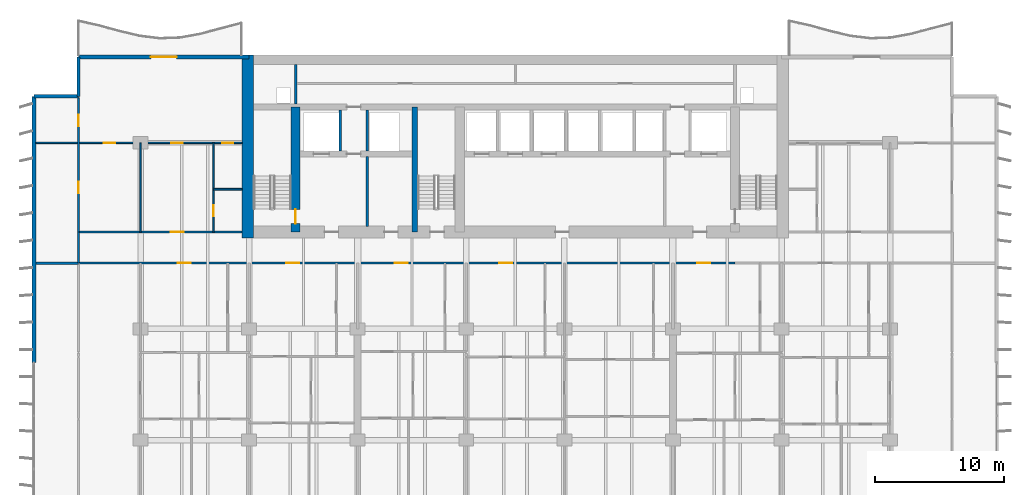
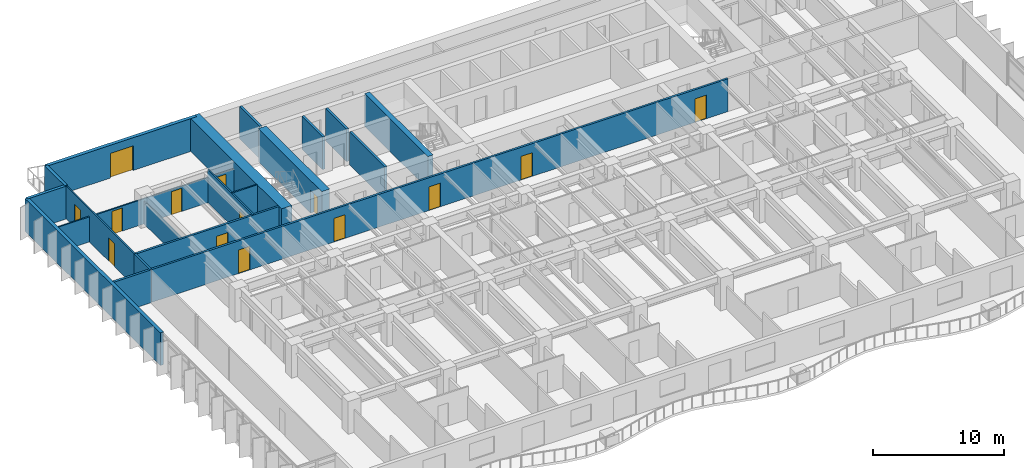
# One storey, part 10 of 17: 20 walls, 14 doors, 14 openings.
"""IFC4 building model written with IfcOpenShell, lengths in metres."""

from ifc_helpers import new_model, si_unit, direction, frame, frame_2d, origin, place, context, subcontext, project, spatial, rectangle, extrude, material, layer, layer_set, type_object, element, fill, save


model = new_model("IFC4")

# Units and contexts
model_context = context("Model", 3, precision=1e-05, world=origin(), true_north=direction((0.0, 1.0)))
body_context = subcontext(model_context, "Body", "Model", "MODEL_VIEW")
ifc_project = project(units=[si_unit("LENGTHUNIT", "METRE"), si_unit("AREAUNIT", "SQUARE_METRE"), si_unit("VOLUMEUNIT", "CUBIC_METRE"), si_unit("PLANEANGLEUNIT", "RADIAN"), si_unit("MASSUNIT", "GRAM", prefix="KILO")], contexts=[model_context])

# Site, building, storey
site_placement = place(None, origin())
site = spatial("IfcSite", under=ifc_project, at=site_placement, CompositionType="ELEMENT")
building_placement = place(site_placement, origin())
building = spatial("IfcBuilding", under=site, at=building_placement, Name="Caelmar Bay Residences", CompositionType="ELEMENT")
storey_placement = place(building_placement, frame((0.0, 0.0, 33.300048828125)))
storey = spatial("IfcBuildingStorey", under=building, at=storey_placement, Name="L07", CompositionType="ELEMENT", Elevation=33.300048828125)

# Wall, opening, door
ifc_material_1 = material(Name="Concrete f'c 55 MPa (8,000 psi)", Category="concrete")
ifc_layer_1 = layer(ifc_material_1, 0.699951171875)
ifc_layer_set_1 = layer_set([ifc_layer_1], Name="Concrete f'c 55 MPa (8,000 psi)")
wall_type_1 = type_object("IfcWallType", Name="SW-COR-700", PredefinedType="SHEAR", material=ifc_layer_set_1)
wall_1_placement = place(storey_placement, frame((21.89990234375, 36.89990234375, 0.0), z_axis=(0.0, 0.0, 1.0), x_axis=(0.0, 1.0, 0.0)))
wall_1 = element("IfcWall", 1, at=wall_1_placement, inside=storey, type_object=wall_type_1, Name="L07 Core Structural Web Wall ST1E", PredefinedType="SHEAR", context=body_context, shape_type="SweptSolid", body=[
    extrude(rectangle(XDim=9.675048828125, YDim=0.699951171875, at=frame_2d((4.83740234375, 0.0))), origin(), (0.0, 0.0, 1.0), 3.050048828125),
])
opening_1_placement = place(wall_1_placement, frame((0.64990234375, 0.0, 0.0)))
opening_1 = element("IfcOpeningElement", 2, at=opening_1_placement, cuts=wall_1, Name="Opening D-L07-108", PredefinedType="OPENING", context=body_context, shape_type="SweptSolid", body=[
    extrude(rectangle(XDim=1.10009765625, YDim=2.14990234375, at=frame_2d((0.550048828125, 1.074951171875))), frame((0.0, 0.35986328125, 0.0), z_axis=(0.0, -1.0, 0.0), x_axis=(1.0, 0.0, 0.0)), (0.0, 0.0, 1.0), 0.719970703125),
])
ifc_material_2 = material(Name="Fire-rated steel and walnut architectural door assembly", Category="steel")
ifc_layer_2 = layer(ifc_material_2, 0.050048828125)
ifc_layer_set_2 = layer_set([ifc_layer_2], Name="Fire-rated steel and walnut architectural door assembly")
door_type_1 = type_object("IfcDoorType", Name="D-STAIR-1100", OperationType="NOTDEFINED", PredefinedType="DOOR", material=ifc_layer_set_2)
door_1_placement = place(opening_1_placement, origin())
door_1 = element("IfcDoor", 3, at=door_1_placement, inside=storey, type_object=door_type_1, Name="L07 Firefighting Lobby West Door", OperationType="SINGLE_SWING_LEFT", OverallHeight=2.14990234375, OverallWidth=1.10009765625, PredefinedType="DOOR", context=body_context, shape_type="SweptSolid", body=[
    extrude(rectangle(XDim=1.10009765625, YDim=2.14990234375, at=frame_2d((0.550048828125, 1.074951171875))), frame((0.0, 0.02490234375, 0.0), z_axis=(0.0, -1.0, 0.0), x_axis=(1.0, 0.0, 0.0)), (0.0, 0.0, 1.0), 0.050048828125),
])
fill(opening_1, door_1)

# Walls
ifc_material_3 = material(Name="Concrete f'c 70 MPa (10,000 psi)", Category="concrete")
ifc_layer_3 = layer(ifc_material_3, 0.89990234375)
ifc_layer_set_3 = layer_set([ifc_layer_3], Name="Concrete f'c 70 MPa (10,000 psi)")
wall_type_2 = type_object("IfcWallType", Name="SW-COR-900", PredefinedType="SHEAR", material=ifc_layer_set_3)
wall_2_placement = place(storey_placement, frame((18.199951171875, 36.449951171875, 0.0), z_axis=(0.0, 0.0, 1.0), x_axis=(0.0, 1.0, 0.0)))
element("IfcWall", 4, at=wall_2_placement, inside=storey, type_object=wall_type_2, Name="L07 Rear Core West Shear Wall", PredefinedType="SHEAR", context=body_context, shape_type="SweptSolid", body=[
    extrude(rectangle(XDim=14.150146484375, YDim=0.89990234375, at=frame_2d((7.0751953125, 0.0))), origin(), (0.0, 0.0, 1.0), 3.050048828125),
])
ifc_layer_4 = layer(ifc_material_3, 0.449951171875)
ifc_layer_set_4 = layer_set([ifc_layer_4], Name="Concrete f'c 70 MPa (10,000 psi)")
wall_type_3 = type_object("IfcWallType", Name="SW-WEB-450", PredefinedType="SHEAR", material=ifc_layer_set_4)
wall_3_placement = place(storey_placement, frame((31.125, 36.89990234375, 0.0), z_axis=(0.0, 0.0, 1.0), x_axis=(0.0, 1.0, 0.0)))
element("IfcWall", 5, at=wall_3_placement, inside=storey, type_object=wall_type_3, Name="L07 Core Structural Web Wall ST3W", PredefinedType="SHEAR", context=body_context, shape_type="SweptSolid", body=[
    extrude(rectangle(XDim=9.675048828125, YDim=0.449951171875, at=frame_2d((4.83740234375, 0.0))), origin(), (0.0, 0.0, 1.0), 3.050048828125),
])
ifc_material_4 = material(Name="Double-stud acoustic fire-rated gypsum partition 180 mm")
ifc_layer_5 = layer(ifc_material_4, 0.179931640625)
ifc_layer_set_5 = layer_set([ifc_layer_5], Name="Double-stud acoustic fire-rated gypsum partition 180 mm")
wall_type_4 = type_object("IfcWallType", Name="W-COR-200", PredefinedType="PARTITIONING", material=ifc_layer_set_5)
wall_4_placement = place(storey_placement, frame((5.10009765625, 34.5048828125, 0.0), z_axis=(0.0, 0.0, 1.0), x_axis=(0.0, 1.0, 0.0)))
element("IfcWall", 6, at=wall_4_placement, inside=storey, type_object=wall_type_4, Name="L07 Partition Wall V005", PredefinedType="PARTITIONING", context=body_context, shape_type="SweptSolid", body=[
    extrude(rectangle(XDim=2.39501953125, YDim=0.179931640625, at=frame_2d((1.197509765625, 0.0))), origin(), (0.0, 0.0, 1.0), 3.050048828125),
])

# Wall, openings, doors
wall_5_placement = place(storey_placement, frame((5.10498046875, 34.5, 0.0), z_axis=(0.0, 0.0, 1.0), x_axis=(1.0, 0.0, 0.0)))
wall_5 = element("IfcWall", 7, at=wall_5_placement, inside=storey, type_object=wall_type_4, Name="L07 Partition Wall H124", PredefinedType="PARTITIONING", context=body_context, shape_type="SweptSolid", body=[
    extrude(rectangle(XDim=50.781005859375, YDim=0.179931640625, at=frame_2d((25.390625, 0.0))), origin(), (0.0, 0.0, 1.0), 3.050048828125),
])
opening_2_placement = place(wall_5_placement, frame((7.669921875, 0.0, 0.0)))
opening_2 = element("IfcOpeningElement", 8, at=opening_2_placement, cuts=wall_5, Name="Opening D-L07-119", PredefinedType="OPENING", context=body_context, shape_type="SweptSolid", body=[
    extrude(rectangle(XDim=1.0, YDim=2.199951171875, at=frame_2d((0.5, 1.10009765625))), frame((0.0, 0.099853515625, 0.0), z_axis=(0.0, -1.0, 0.0), x_axis=(1.0, 0.0, 0.0)), (0.0, 0.0, 1.0), 0.199951171875),
])
opening_3_placement = place(wall_5_placement, frame((16.070068359375, 0.0, 0.0)))
opening_3 = element("IfcOpeningElement", 9, at=opening_3_placement, cuts=wall_5, Name="Opening D-L07-127", PredefinedType="OPENING", context=body_context, shape_type="SweptSolid", body=[
    extrude(rectangle(XDim=1.0, YDim=2.199951171875, at=frame_2d((0.5, 1.10009765625))), frame((0.0, 0.099853515625, 0.0), z_axis=(0.0, -1.0, 0.0), x_axis=(1.0, 0.0, 0.0)), (0.0, 0.0, 1.0), 0.199951171875),
])
opening_4_placement = place(wall_5_placement, frame((24.469970703125, 0.0, 0.0)))
opening_4 = element("IfcOpeningElement", 10, at=opening_4_placement, cuts=wall_5, Name="Opening D-L07-134", PredefinedType="OPENING", context=body_context, shape_type="SweptSolid", body=[
    extrude(rectangle(XDim=1.0, YDim=2.199951171875, at=frame_2d((0.5, 1.10009765625))), frame((0.0, 0.099853515625, 0.0), z_axis=(0.0, -1.0, 0.0), x_axis=(1.0, 0.0, 0.0)), (0.0, 0.0, 1.0), 0.199951171875),
])
opening_5_placement = place(wall_5_placement, frame((32.544921875, 0.0, 0.0)))
opening_5 = element("IfcOpeningElement", 11, at=opening_5_placement, cuts=wall_5, Name="Opening D-L07-141", PredefinedType="OPENING", context=body_context, shape_type="SweptSolid", body=[
    extrude(rectangle(XDim=1.0, YDim=2.199951171875, at=frame_2d((0.5, 1.10009765625))), frame((0.0, 0.099853515625, 0.0), z_axis=(0.0, -1.0, 0.0), x_axis=(1.0, 0.0, 0.0)), (0.0, 0.0, 1.0), 0.199951171875),
])
opening_6_placement = place(wall_5_placement, frame((47.887939453125, 0.0, 0.0)))
opening_6 = element("IfcOpeningElement", 12, at=opening_6_placement, cuts=wall_5, Name="Opening D-L07-150", PredefinedType="OPENING", context=body_context, shape_type="SweptSolid", body=[
    extrude(rectangle(XDim=1.0, YDim=2.199951171875, at=frame_2d((0.5, 1.10009765625))), frame((0.0, 0.099853515625, 0.0), z_axis=(0.0, -1.0, 0.0), x_axis=(1.0, 0.0, 0.0)), (0.0, 0.0, 1.0), 0.199951171875),
])
ifc_layer_6 = layer(ifc_material_2, 0.050048828125)
ifc_layer_set_6 = layer_set([ifc_layer_6], Name="Fire-rated steel and walnut architectural door assembly")
door_type_2 = type_object("IfcDoorType", Name="D-UNIT-1000", OperationType="NOTDEFINED", PredefinedType="DOOR", material=ifc_layer_set_6)
door_2_placement = place(opening_2_placement, origin())
door_2 = element("IfcDoor", 13, at=door_2_placement, inside=storey, type_object=door_type_2, Name="L07 Residence 01 Apartment Hall Door", OperationType="SINGLE_SWING_RIGHT", OverallHeight=2.199951171875, OverallWidth=1.0, PredefinedType="DOOR", context=body_context, shape_type="SweptSolid", body=[
    extrude(rectangle(XDim=1.0, YDim=2.199951171875, at=frame_2d((0.5, 1.10009765625))), frame((0.0, 0.02490234375, 0.0), z_axis=(0.0, -1.0, 0.0), x_axis=(1.0, 0.0, 0.0)), (0.0, 0.0, 1.0), 0.050048828125),
])
fill(opening_2, door_2)
door_3_placement = place(opening_3_placement, origin())
door_3 = element("IfcDoor", 14, at=door_3_placement, inside=storey, type_object=door_type_2, Name="L07 Residence 02 Apartment Hall Door", OperationType="SINGLE_SWING_RIGHT", OverallHeight=2.199951171875, OverallWidth=1.0, PredefinedType="DOOR", context=body_context, shape_type="SweptSolid", body=[
    extrude(rectangle(XDim=1.0, YDim=2.199951171875, at=frame_2d((0.5, 1.10009765625))), frame((0.0, 0.02490234375, 0.0), z_axis=(0.0, -1.0, 0.0), x_axis=(1.0, 0.0, 0.0)), (0.0, 0.0, 1.0), 0.050048828125),
])
fill(opening_3, door_3)
door_4_placement = place(opening_4_placement, origin())
door_4 = element("IfcDoor", 15, at=door_4_placement, inside=storey, type_object=door_type_2, Name="L07 Residence 03 Apartment Hall Door", OperationType="SINGLE_SWING_LEFT", OverallHeight=2.199951171875, OverallWidth=1.0, PredefinedType="DOOR", context=body_context, shape_type="SweptSolid", body=[
    extrude(rectangle(XDim=1.0, YDim=2.199951171875, at=frame_2d((0.5, 1.10009765625))), frame((0.0, 0.02490234375, 0.0), z_axis=(0.0, -1.0, 0.0), x_axis=(1.0, 0.0, 0.0)), (0.0, 0.0, 1.0), 0.050048828125),
])
fill(opening_4, door_4)
door_5_placement = place(opening_5_placement, origin())
door_5 = element("IfcDoor", 16, at=door_5_placement, inside=storey, type_object=door_type_2, Name="L07 Residence 04 Apartment Hall Door", OperationType="SINGLE_SWING_RIGHT", OverallHeight=2.199951171875, OverallWidth=1.0, PredefinedType="DOOR", context=body_context, shape_type="SweptSolid", body=[
    extrude(rectangle(XDim=1.0, YDim=2.199951171875, at=frame_2d((0.5, 1.10009765625))), frame((0.0, 0.02490234375, 0.0), z_axis=(0.0, -1.0, 0.0), x_axis=(1.0, 0.0, 0.0)), (0.0, 0.0, 1.0), 0.050048828125),
])
fill(opening_5, door_5)
door_6_placement = place(opening_6_placement, origin())
door_6 = element("IfcDoor", 17, at=door_6_placement, inside=storey, type_object=door_type_2, Name="L07 Residence 05 Apartment Hall Door", OperationType="SINGLE_SWING_LEFT", OverallHeight=2.199951171875, OverallWidth=1.0, PredefinedType="DOOR", context=body_context, shape_type="SweptSolid", body=[
    extrude(rectangle(XDim=1.0, YDim=2.199951171875, at=frame_2d((0.5, 1.10009765625))), frame((0.0, 0.02490234375, 0.0), z_axis=(0.0, -1.0, 0.0), x_axis=(1.0, 0.0, 0.0)), (0.0, 0.0, 1.0), 0.050048828125),
])
fill(opening_6, door_6)

# Wall, opening, door
wall_6_placement = place(storey_placement, frame((5.10009765625, 36.89990234375, 0.0), z_axis=(0.0, 0.0, 1.0), x_axis=(1.0, 0.0, 0.0)))
wall_6 = element("IfcWall", 18, at=wall_6_placement, inside=storey, type_object=wall_type_4, Name="L07 Partition Wall H127", PredefinedType="PARTITIONING", context=body_context, shape_type="SweptSolid", body=[
    extrude(rectangle(XDim=12.64501953125, YDim=0.179931640625, at=frame_2d((6.322509765625, 0.0))), origin(), (0.0, 0.0, 1.0), 3.050048828125),
])
opening_7_placement = place(wall_6_placement, frame((7.125, 0.0, 0.0)))
opening_7 = element("IfcOpeningElement", 19, at=opening_7_placement, cuts=wall_6, Name="Opening D-L07-168", PredefinedType="OPENING", context=body_context, shape_type="SweptSolid", body=[
    extrude(rectangle(XDim=1.0, YDim=2.199951171875, at=frame_2d((0.5, 1.10009765625))), frame((0.0, 0.099853515625, 0.0), z_axis=(0.0, -1.0, 0.0), x_axis=(1.0, 0.0, 0.0)), (0.0, 0.0, 1.0), 0.199951171875),
])
door_7_placement = place(opening_7_placement, origin())
door_7 = element("IfcDoor", 20, at=door_7_placement, inside=storey, type_object=door_type_2, Name="L07 Residence WA Kitchen Door", OperationType="SINGLE_SWING_LEFT", OverallHeight=2.199951171875, OverallWidth=1.0, PredefinedType="DOOR", context=body_context, shape_type="SweptSolid", body=[
    extrude(rectangle(XDim=1.0, YDim=2.199951171875, at=frame_2d((0.5, 1.10009765625))), frame((0.0, 0.02490234375, 0.0), z_axis=(0.0, -1.0, 0.0), x_axis=(1.0, 0.0, 0.0)), (0.0, 0.0, 1.0), 0.050048828125),
])
fill(opening_7, door_7)

# Walls
ifc_material_5 = material(Name="Precast concrete f'c 40 MPa (6,000 psi)", Category="concrete")
ifc_layer_7 = layer(ifc_material_5, 0.25)
ifc_layer_set_7 = layer_set([ifc_layer_7], Name="Precast concrete f'c 40 MPa (6,000 psi)")
wall_type_5 = type_object("IfcWallType", Name="W-EXT-250", PredefinedType="ELEMENTEDWALL", material=ifc_layer_set_7)
wall_7_placement = place(storey_placement, frame((1.64990234375, 47.39990234375, 0.0), z_axis=(0.0, 0.0, 1.0), x_axis=(1.0, 0.0, 0.0)))
element("IfcWall", 21, at=wall_7_placement, inside=storey, type_object=wall_type_5, Name="L07 NNW-H Notch Wall", PredefinedType="ELEMENTEDWALL", context=body_context, shape_type="SweptSolid", body=[
    extrude(rectangle(XDim=3.4501953125, YDim=0.25, at=frame_2d((1.72509765625, 0.0))), origin(), (0.0, 0.0, 1.0), 3.050048828125),
])
wall_8_placement = place(storey_placement, frame((5.10009765625, 47.39990234375, 0.0), z_axis=(0.0, 0.0, 1.0), x_axis=(0.0, 1.0, 0.0)))
element("IfcWall", 22, at=wall_8_placement, inside=storey, type_object=wall_type_5, Name="L07 NNW-V Notch Wall", PredefinedType="ELEMENTEDWALL", context=body_context, shape_type="SweptSolid", body=[
    extrude(rectangle(XDim=3.050048828125, YDim=0.25, at=frame_2d((1.52490234375, 0.0))), origin(), (0.0, 0.0, 1.0), 3.050048828125),
])
ifc_layer_8 = layer(ifc_material_5, 0.300048828125)
ifc_layer_set_8 = layer_set([ifc_layer_8], Name="Precast concrete f'c 40 MPa (6,000 psi)")
wall_type_6 = type_object("IfcWallType", Name="W-EXT-300", PredefinedType="STANDARD", material=ifc_layer_set_8)
wall_9_placement = place(storey_placement, frame((1.64990234375, 26.800048828125, 0.0), z_axis=(0.0, 0.0, 1.0), x_axis=(0.0, 1.0, 0.0)))
element("IfcWall", 23, at=wall_9_placement, inside=storey, type_object=wall_type_6, Name="L07 West Rear Exterior Wall", PredefinedType="STANDARD", context=body_context, shape_type="SweptSolid", body=[
    extrude(rectangle(XDim=20.599853515625, YDim=0.300048828125, at=frame_2d((10.2998046875, 0.0))), origin(), (0.0, 0.0, 1.0), 3.050048828125),
])

# Wall, opening, door
wall_10_placement = place(storey_placement, frame((5.10009765625, 50.449951171875, 0.0), z_axis=(0.0, 0.0, 1.0), x_axis=(1.0, 0.0, 0.0)))
wall_10 = element("IfcWall", 24, at=wall_10_placement, inside=storey, type_object=wall_type_6, Name="L07 North-West Wing Exterior Wall", PredefinedType="STANDARD", context=body_context, shape_type="SweptSolid", body=[
    extrude(rectangle(XDim=13.199951171875, YDim=0.300048828125, at=frame_2d((6.60009765625, 0.0))), origin(), (0.0, 0.0, 1.0), 3.050048828125),
])
opening_8_placement = place(wall_10_placement, frame((5.60009765625, 0.0, 0.0)))
opening_8 = element("IfcOpeningElement", 25, at=opening_8_placement, cuts=wall_10, Name="Opening L07-BDNW", PredefinedType="OPENING", context=body_context, shape_type="SweptSolid", body=[
    extrude(rectangle(XDim=2.0, YDim=2.300048828125, at=frame_2d((1.0, 1.14990234375))), frame((0.0, 0.159912109375, 0.0), z_axis=(0.0, -1.0, 0.0), x_axis=(1.0, 0.0, 0.0)), (0.0, 0.0, 1.0), 0.320068359375),
])
ifc_material_6 = material(Name="Anodised bronze thermally broken sliding glass door", Category="glass")
ifc_layer_9 = layer(ifc_material_6, 0.050048828125)
ifc_layer_set_9 = layer_set([ifc_layer_9], Name="Anodised bronze thermally broken sliding glass door")
door_type_3 = type_object("IfcDoorType", Name="D-BAL-2000", OperationType="DOUBLE_DOOR_SLIDING", PredefinedType="DOOR", material=ifc_layer_set_9)
door_8_placement = place(opening_8_placement, origin())
door_8 = element("IfcDoor", 26, at=door_8_placement, inside=storey, type_object=door_type_3, Name="L07 North-West Balcony Door", OperationType="DOUBLE_DOOR_SLIDING", OverallHeight=2.300048828125, OverallWidth=2.0, PredefinedType="DOOR", context=body_context, shape_type="SweptSolid", body=[
    extrude(rectangle(XDim=2.0, YDim=2.300048828125, at=frame_2d((1.0, 1.14990234375))), frame((0.0, 0.02490234375, 0.0), z_axis=(0.0, -1.0, 0.0), x_axis=(1.0, 0.0, 0.0)), (0.0, 0.0, 1.0), 0.050048828125),
])
fill(opening_8, door_8)

# Walls
ifc_material_7 = material(Name="Fire-rated masonry and gypsum shaftliner assembly 200 mm", Category="masonry")
ifc_layer_10 = layer(ifc_material_7, 0.199951171875)
ifc_layer_set_10 = layer_set([ifc_layer_10], Name="Fire-rated masonry and gypsum shaftliner assembly 200 mm")
wall_type_7 = type_object("IfcWallType", Name="W-FSAE-200", PredefinedType="PARTITIONING", material=ifc_layer_set_10)
wall_11_placement = place(storey_placement, frame((21.89990234375, 46.794921875, 0.0), z_axis=(0.0, 0.0, 1.0), x_axis=(0.0, 1.0, 0.0)))
element("IfcWall", 27, at=wall_11_placement, inside=storey, type_object=wall_type_7, Name="L07 Partition Wall V024", PredefinedType="PARTITIONING", context=body_context, shape_type="SweptSolid", body=[
    extrude(rectangle(XDim=3.06005859375, YDim=0.199951171875, at=frame_2d((1.530029296875, 0.0))), origin(), (0.0, 0.0, 1.0), 3.050048828125),
])
wall_12_placement = place(storey_placement, frame((25.35009765625, 43.169921875, 0.0), z_axis=(0.0, 0.0, 1.0), x_axis=(0.0, 1.0, 0.0)))
element("IfcWall", 28, at=wall_12_placement, inside=storey, type_object=wall_type_7, Name="L07 Partition Wall V031", PredefinedType="PARTITIONING", context=body_context, shape_type="SweptSolid", body=[
    extrude(rectangle(XDim=3.18505859375, YDim=0.199951171875, at=frame_2d((1.592529296875, 0.0))), origin(), (0.0, 0.0, 1.0), 3.050048828125),
])
wall_13_placement = place(storey_placement, frame((27.449951171875, 37.344970703125, 0.0), z_axis=(0.0, 0.0, 1.0), x_axis=(0.0, 1.0, 0.0)))
element("IfcWall", 29, at=wall_13_placement, inside=storey, type_object=wall_type_7, Name="L07 Partition Wall V035", PredefinedType="PARTITIONING", context=body_context, shape_type="SweptSolid", body=[
    extrude(rectangle(XDim=5.385009765625, YDim=0.199951171875, at=frame_2d((2.6923828125, 0.0))), origin(), (0.0, 0.0, 1.0), 3.050048828125),
])
wall_14_placement = place(storey_placement, frame((27.449951171875, 43.169921875, 0.0), z_axis=(0.0, 0.0, 1.0), x_axis=(0.0, 1.0, 0.0)))
element("IfcWall", 30, at=wall_14_placement, inside=storey, type_object=wall_type_7, Name="L07 Partition Wall V036", PredefinedType="PARTITIONING", context=body_context, shape_type="SweptSolid", body=[
    extrude(rectangle(XDim=3.18505859375, YDim=0.199951171875, at=frame_2d((1.592529296875, 0.0))), origin(), (0.0, 0.0, 1.0), 3.050048828125),
])

# Wall, openings, doors
ifc_material_8 = material(Name="Acoustic metal-stud gypsum partition 120 mm")
ifc_layer_11 = layer(ifc_material_8, 0.1201171875)
ifc_layer_set_11 = layer_set([ifc_layer_11], Name="Acoustic metal-stud gypsum partition 120 mm")
wall_type_8 = type_object("IfcWallType", Name="W-PRT-120", PredefinedType="PARTITIONING", material=ifc_layer_set_11)
wall_15_placement = place(storey_placement, frame((5.10009765625, 36.905029296875, 0.0), z_axis=(0.0, 0.0, 1.0), x_axis=(0.0, 1.0, 0.0)))
wall_15 = element("IfcWall", 31, at=wall_15_placement, inside=storey, type_object=wall_type_8, Name="L07 Partition Wall V006", PredefinedType="PARTITIONING", context=body_context, shape_type="SweptSolid", body=[
    extrude(rectangle(XDim=10.375, YDim=0.1201171875, at=frame_2d((5.1875, 0.0))), origin(), (0.0, 0.0, 1.0), 3.050048828125),
])
opening_9_placement = place(wall_15_placement, frame((2.99755859375, 0.0, 0.0)))
opening_9 = element("IfcOpeningElement", 32, at=opening_9_placement, cuts=wall_15, Name="Opening D-L07-172", PredefinedType="OPENING", context=body_context, shape_type="SweptSolid", body=[
    extrude(rectangle(XDim=0.89990234375, YDim=2.14990234375, at=frame_2d((0.449951171875, 1.074951171875))), frame((0.0, 0.070068359375, 0.0), z_axis=(0.0, -1.0, 0.0), x_axis=(1.0, 0.0, 0.0)), (0.0, 0.0, 1.0), 0.14013671875),
])
opening_10_placement = place(wall_15_placement, frame((8.18505859375, 0.0, 0.0)))
opening_10 = element("IfcOpeningElement", 33, at=opening_10_placement, cuts=wall_15, Name="Opening D-L07-173", PredefinedType="OPENING", context=body_context, shape_type="SweptSolid", body=[
    extrude(rectangle(XDim=0.89990234375, YDim=2.14990234375, at=frame_2d((0.449951171875, 1.074951171875))), frame((0.0, 0.070068359375, 0.0), z_axis=(0.0, -1.0, 0.0), x_axis=(1.0, 0.0, 0.0)), (0.0, 0.0, 1.0), 0.14013671875),
])
ifc_material_9 = material(Name="Solid walnut timber interior door leaf and frame", Category="wood")
ifc_layer_12 = layer(ifc_material_9, 0.050048828125)
ifc_layer_set_12 = layer_set([ifc_layer_12], Name="Solid walnut timber interior door leaf and frame")
door_type_4 = type_object("IfcDoorType", Name="D-ROOM-900", OperationType="NOTDEFINED", PredefinedType="DOOR", material=ifc_layer_set_12)
door_9_placement = place(opening_9_placement, origin())
door_9 = element("IfcDoor", 34, at=door_9_placement, inside=storey, type_object=door_type_4, Name="L07 Residence WA Sun Study Door", OperationType="SINGLE_SWING_LEFT", OverallHeight=2.14990234375, OverallWidth=0.89990234375, PredefinedType="DOOR", context=body_context, shape_type="SweptSolid", body=[
    extrude(rectangle(XDim=0.89990234375, YDim=2.14990234375, at=frame_2d((0.449951171875, 1.074951171875))), frame((0.0, 0.02490234375, 0.0), z_axis=(0.0, -1.0, 0.0), x_axis=(1.0, 0.0, 0.0)), (0.0, 0.0, 1.0), 0.050048828125),
])
fill(opening_9, door_9)
door_10_placement = place(opening_10_placement, origin())
door_10 = element("IfcDoor", 35, at=door_10_placement, inside=storey, type_object=door_type_4, Name="L07 Residence WA North Sitting Alcove Door", OperationType="SINGLE_SWING_RIGHT", OverallHeight=2.14990234375, OverallWidth=0.89990234375, PredefinedType="DOOR", context=body_context, shape_type="SweptSolid", body=[
    extrude(rectangle(XDim=0.89990234375, YDim=2.14990234375, at=frame_2d((0.449951171875, 1.074951171875))), frame((0.0, 0.02490234375, 0.0), z_axis=(0.0, -1.0, 0.0), x_axis=(1.0, 0.0, 0.0)), (0.0, 0.0, 1.0), 0.050048828125),
])
fill(opening_10, door_10)

# Wall
wall_16_placement = place(storey_placement, frame((9.89990234375, 36.89990234375, 0.0), z_axis=(0.0, 0.0, 1.0), x_axis=(0.0, 1.0, 0.0)))
element("IfcWall", 36, at=wall_16_placement, inside=storey, type_object=wall_type_8, Name="L07 Partition Wall V012", PredefinedType="PARTITIONING", context=body_context, shape_type="SweptSolid", body=[
    extrude(rectangle(XDim=6.900146484375, YDim=0.1201171875, at=frame_2d((3.4501953125, 0.0))), origin(), (0.0, 0.0, 1.0), 2.10986328125),
])

# Wall, opening, door
wall_17_placement = place(storey_placement, frame((15.550048828125, 36.89990234375, 0.0), z_axis=(0.0, 0.0, 1.0), x_axis=(0.0, 1.0, 0.0)))
wall_17 = element("IfcWall", 37, at=wall_17_placement, inside=storey, type_object=wall_type_8, Name="L07 Partition Wall V017", PredefinedType="PARTITIONING", context=body_context, shape_type="SweptSolid", body=[
    extrude(rectangle(XDim=6.900146484375, YDim=0.1201171875, at=frame_2d((3.4501953125, 0.0))), origin(), (0.0, 0.0, 1.0), 3.050048828125),
])
opening_11_placement = place(wall_17_placement, frame((1.23095703125, 0.0, 0.0)))
opening_11 = element("IfcOpeningElement", 38, at=opening_11_placement, cuts=wall_17, Name="Opening D-L07-170", PredefinedType="OPENING", context=body_context, shape_type="SweptSolid", body=[
    extrude(rectangle(XDim=0.85009765625, YDim=2.10009765625, at=frame_2d((0.425048828125, 1.050048828125))), frame((0.0, 0.070068359375, 0.0), z_axis=(0.0, -1.0, 0.0), x_axis=(1.0, 0.0, 0.0)), (0.0, 0.0, 1.0), 0.14013671875),
])
ifc_layer_13 = layer(ifc_material_9, 0.050048828125)
ifc_layer_set_13 = layer_set([ifc_layer_13], Name="Solid walnut timber interior door leaf and frame")
door_type_5 = type_object("IfcDoorType", Name="D-BATH-850", OperationType="NOTDEFINED", PredefinedType="DOOR", material=ifc_layer_set_13)
door_11_placement = place(opening_11_placement, origin())
door_11 = element("IfcDoor", 39, at=door_11_placement, inside=storey, type_object=door_type_5, Name="L07 Residence WA Walk-In Closet Door", OperationType="SINGLE_SWING_LEFT", OverallHeight=2.10009765625, OverallWidth=0.85009765625, PredefinedType="DOOR", context=body_context, shape_type="SweptSolid", body=[
    extrude(rectangle(XDim=0.85009765625, YDim=2.10009765625, at=frame_2d((0.425048828125, 1.050048828125))), frame((0.0, 0.02490234375, 0.0), z_axis=(0.0, -1.0, 0.0), x_axis=(1.0, 0.0, 0.0)), (0.0, 0.0, 1.0), 0.050048828125),
])
fill(opening_11, door_11)

# Wall
wall_18_placement = place(storey_placement, frame((15.550048828125, 40.2119140625, 0.0), z_axis=(0.0, 0.0, 1.0), x_axis=(1.0, 0.0, 0.0)))
element("IfcWall", 40, at=wall_18_placement, inside=storey, type_object=wall_type_8, Name="L07 Partition Wall H129", PredefinedType="PARTITIONING", context=body_context, shape_type="SweptSolid", body=[
    extrude(rectangle(XDim=2.204833984375, YDim=0.1201171875, at=frame_2d((1.1025390625, 0.0))), origin(), (0.0, 0.0, 1.0), 3.050048828125),
])

# Wall, openings, doors
wall_19_placement = place(storey_placement, frame((1.794921875, 43.800048828125, 0.0), z_axis=(0.0, 0.0, 1.0), x_axis=(1.0, 0.0, 0.0)))
wall_19 = element("IfcWall", 41, at=wall_19_placement, inside=storey, type_object=wall_type_8, Name="L07 Partition Wall H131", PredefinedType="PARTITIONING", context=body_context, shape_type="SweptSolid", body=[
    extrude(rectangle(XDim=15.9599609375, YDim=0.1201171875, at=frame_2d((7.97998046875, 0.0))), origin(), (0.0, 0.0, 1.0), 2.3388671875),
])
opening_12_placement = place(wall_19_placement, frame((5.2548828125, 0.0, 0.0)))
opening_12 = element("IfcOpeningElement", 42, at=opening_12_placement, cuts=wall_19, Name="Opening D-L07-167", PredefinedType="OPENING", context=body_context, shape_type="SweptSolid", body=[
    extrude(rectangle(XDim=0.89990234375, YDim=2.14990234375, at=frame_2d((0.449951171875, 1.074951171875))), frame((0.0, 0.070068359375, 0.0), z_axis=(0.0, -1.0, 0.0), x_axis=(1.0, 0.0, 0.0)), (0.0, 0.0, 1.0), 0.14013671875),
])
opening_13_placement = place(wall_19_placement, frame((10.47998046875, 0.0, 0.0)))
opening_13 = element("IfcOpeningElement", 43, at=opening_13_placement, cuts=wall_19, Name="Opening D-L07-169", PredefinedType="OPENING", context=body_context, shape_type="SweptSolid", body=[
    extrude(rectangle(XDim=0.89990234375, YDim=2.14990234375, at=frame_2d((0.449951171875, 1.074951171875))), frame((0.0, 0.070068359375, 0.0), z_axis=(0.0, -1.0, 0.0), x_axis=(1.0, 0.0, 0.0)), (0.0, 0.0, 1.0), 0.14013671875),
])
opening_14_placement = place(wall_19_placement, frame((14.4326171875, 0.0, 0.0)))
opening_14 = element("IfcOpeningElement", 44, at=opening_14_placement, cuts=wall_19, Name="Opening D-L07-171", PredefinedType="OPENING", context=body_context, shape_type="SweptSolid", body=[
    extrude(rectangle(XDim=0.85009765625, YDim=2.10009765625, at=frame_2d((0.425048828125, 1.050048828125))), frame((0.0, 0.070068359375, 0.0), z_axis=(0.0, -1.0, 0.0), x_axis=(1.0, 0.0, 0.0)), (0.0, 0.0, 1.0), 0.14013671875),
])
door_12_placement = place(opening_14_placement, origin())
door_12 = element("IfcDoor", 45, at=door_12_placement, inside=storey, type_object=door_type_5, Name="L07 Residence WA Bathroom Door", OperationType="SINGLE_SWING_RIGHT", OverallHeight=2.10009765625, OverallWidth=0.85009765625, PredefinedType="DOOR", context=body_context, shape_type="SweptSolid", body=[
    extrude(rectangle(XDim=0.85009765625, YDim=2.10009765625, at=frame_2d((0.425048828125, 1.050048828125))), frame((0.0, 0.02490234375, 0.0), z_axis=(0.0, -1.0, 0.0), x_axis=(1.0, 0.0, 0.0)), (0.0, 0.0, 1.0), 0.050048828125),
])
fill(opening_14, door_12)
door_13_placement = place(opening_12_placement, origin())
door_13 = element("IfcDoor", 46, at=door_13_placement, inside=storey, type_object=door_type_4, Name="L07 Residence WA Study Door", OperationType="SINGLE_SWING_RIGHT", OverallHeight=2.14990234375, OverallWidth=0.89990234375, PredefinedType="DOOR", context=body_context, shape_type="SweptSolid", body=[
    extrude(rectangle(XDim=0.89990234375, YDim=2.14990234375, at=frame_2d((0.449951171875, 1.074951171875))), frame((0.0, 0.02490234375, 0.0), z_axis=(0.0, -1.0, 0.0), x_axis=(1.0, 0.0, 0.0)), (0.0, 0.0, 1.0), 0.050048828125),
])
fill(opening_12, door_13)
door_14_placement = place(opening_13_placement, origin())
door_14 = element("IfcDoor", 47, at=door_14_placement, inside=storey, type_object=door_type_4, Name="L07 Residence WA Studio Living and Sleeping Room Door", OperationType="SINGLE_SWING_RIGHT", OverallHeight=2.14990234375, OverallWidth=0.89990234375, PredefinedType="DOOR", context=body_context, shape_type="SweptSolid", body=[
    extrude(rectangle(XDim=0.89990234375, YDim=2.14990234375, at=frame_2d((0.449951171875, 1.074951171875))), frame((0.0, 0.02490234375, 0.0), z_axis=(0.0, -1.0, 0.0), x_axis=(1.0, 0.0, 0.0)), (0.0, 0.0, 1.0), 0.050048828125),
])
fill(opening_13, door_14)

# Wall
ifc_material_10 = material(Name="Acoustic twin-stud fire-rated inter-tenancy partition 200 mm")
ifc_layer_14 = layer(ifc_material_10, 0.199951171875)
ifc_layer_set_14 = layer_set([ifc_layer_14], Name="Acoustic twin-stud fire-rated inter-tenancy partition 200 mm")
wall_type_9 = type_object("IfcWallType", Name="W-PTY-200", PredefinedType="PARTITIONING", material=ifc_layer_set_14)
wall_20_placement = place(storey_placement, frame((1.794921875, 34.5, 0.0), z_axis=(0.0, 0.0, 1.0), x_axis=(1.0, 0.0, 0.0)))
element("IfcWall", 48, at=wall_20_placement, inside=storey, type_object=wall_type_9, Name="L07 Partition Wall H123", PredefinedType="PARTITIONING", context=body_context, shape_type="SweptSolid", body=[
    extrude(rectangle(XDim=3.30517578125, YDim=0.199951171875, at=frame_2d((1.652587890625, 0.0))), origin(), (0.0, 0.0, 1.0), 3.050048828125),
])

save(model, "model.ifc")
